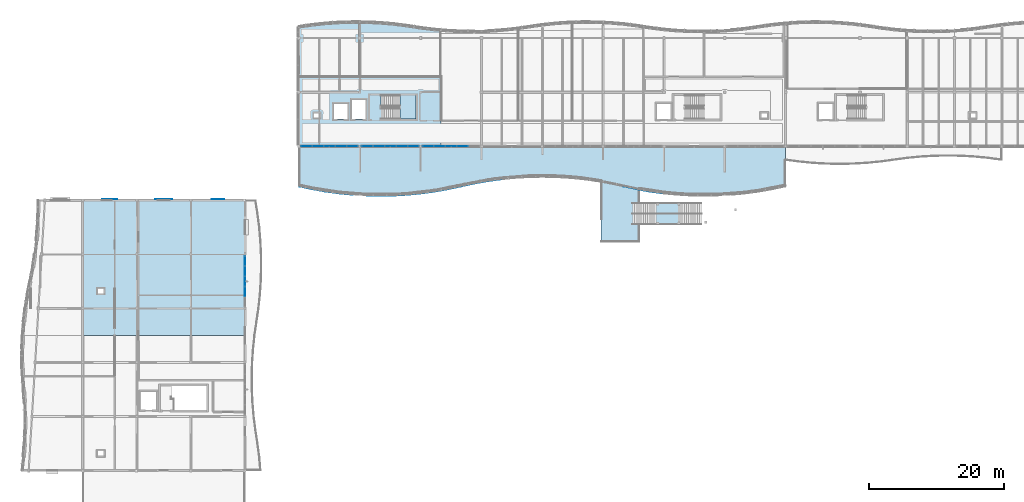
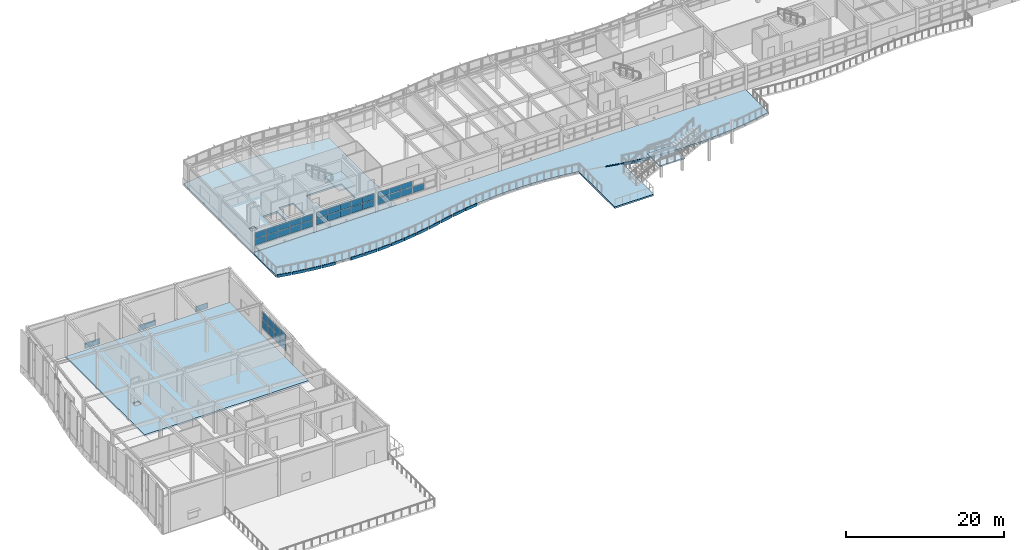
# One storey, part 22 of 52: 55 plates, 5 slabs, 6 elements without a shape of their own.
"""IFC4 building model written with IfcOpenShell, lengths in metres."""

from ifc_helpers import new_model, si_unit, direction, frame, origin, origin_2d, place, context, subcontext, project, spatial, polyline, rectangle, outline, extrude, material, layer, layer_set, type_object, element, aggregate, save


model = new_model("IFC4")

# Units and contexts
model_context = context("Model", 3, precision=1e-05, world=origin(), true_north=direction((0.0, 1.0)))
body_context = subcontext(model_context, "Body", "Model", "MODEL_VIEW")
ifc_project = project(units=[si_unit("LENGTHUNIT", "METRE"), si_unit("AREAUNIT", "SQUARE_METRE"), si_unit("VOLUMEUNIT", "CUBIC_METRE"), si_unit("PLANEANGLEUNIT", "RADIAN"), si_unit("MASSUNIT", "GRAM", prefix="KILO")], contexts=[model_context])

# Site, building, storey
site_placement = place(None, origin())
site = spatial("IfcSite", under=ifc_project, at=site_placement, CompositionType="ELEMENT")
building_placement = place(site_placement, origin())
building = spatial("IfcBuilding", under=site, at=building_placement, Name="Tonlespit Floodbar School", CompositionType="ELEMENT")
storey_placement = place(building_placement, frame((0.0, 0.0, 12.300048828125)))
storey = spatial("IfcBuildingStorey", under=building, at=storey_placement, Name="L03", CompositionType="ELEMENT", Elevation=12.300048828125)

# Curtain wall, plates
ifc_material_1 = material(Name="Anodised Aluminium", Category="aluminium")
ifc_layer_1 = layer(ifc_material_1, 0.159912109375)
ifc_layer_set_1 = layer_set([ifc_layer_1], Name="Anodised Aluminium")
curtain_wall_type_1 = type_object("IfcCurtainWallType", Name="CurtainWall_8500x2050", PredefinedType="NOTDEFINED", material=ifc_layer_set_1)
curtain_wall_1_placement = place(storey_placement, origin())
curtain_wall_1 = element("IfcCurtainWall", 1, at=curtain_wall_1_placement, inside=storey, type_object=curtain_wall_type_1, Name="L03 unitised curtain wall 0165", PredefinedType="NOTDEFINED")
ifc_material_2 = material(Name="Laminated Low-E Glass", Category="glass")
ifc_layer_2 = layer(ifc_material_2, 0.028076171875)
ifc_layer_set_2 = layer_set([ifc_layer_2], Name="Laminated Low-E Glass")
plate_type_1 = type_object("IfcPlateType", Name="CW_Panel_Glaz_28", PredefinedType="CURTAIN_PANEL", material=ifc_layer_set_2)
plate_1_placement = place(storey_placement, frame((51.891845703125, 104.0, 1.014892578125), z_axis=(0.0, 0.0, 1.0), x_axis=(-1.0, 0.0, 0.0)))
plate_1 = element("IfcPlate", 2, at=plate_1_placement, type_object=plate_type_1, Name="CW-07 panel 1.1", PredefinedType="CURTAIN_PANEL", context=body_context, shape_type="SweptSolid", body=[
    extrude(rectangle(XDim=1.6064453125, YDim=0.028076171875, at=origin_2d()), origin(), (0.0, 0.0, 1.0), 0.97265625),
])
plate_2_placement = place(storey_placement, frame((51.891845703125, 104.0, 2.052734375), z_axis=(0.0, 0.0, 1.0), x_axis=(-1.0, 0.0, 0.0)))
plate_2 = element("IfcPlate", 3, at=plate_2_placement, type_object=plate_type_1, Name="CW-07 panel 1.2", PredefinedType="CURTAIN_PANEL", context=body_context, shape_type="SweptSolid", body=[
    extrude(rectangle(XDim=1.6064453125, YDim=0.028076171875, at=origin_2d()), origin(), (0.0, 0.0, 1.0), 0.890380859375),
])
plate_3_placement = place(storey_placement, frame((50.2041015625, 104.0, 1.014892578125), z_axis=(0.0, 0.0, 1.0), x_axis=(-1.0, 0.0, 0.0)))
plate_3 = element("IfcPlate", 4, at=plate_3_placement, type_object=plate_type_1, Name="CW-07 panel 2.1", PredefinedType="CURTAIN_PANEL", context=body_context, shape_type="SweptSolid", body=[
    extrude(rectangle(XDim=1.638916015625, YDim=0.028076171875, at=origin_2d()), origin(), (0.0, 0.0, 1.0), 0.97265625),
])
plate_4_placement = place(storey_placement, frame((50.2041015625, 104.0, 2.052734375), z_axis=(0.0, 0.0, 1.0), x_axis=(-1.0, 0.0, 0.0)))
plate_4 = element("IfcPlate", 5, at=plate_4_placement, type_object=plate_type_1, Name="CW-07 panel 2.2", PredefinedType="CURTAIN_PANEL", context=body_context, shape_type="SweptSolid", body=[
    extrude(rectangle(XDim=1.638916015625, YDim=0.028076171875, at=origin_2d()), origin(), (0.0, 0.0, 1.0), 0.890380859375),
])
plate_5_placement = place(storey_placement, frame((48.5, 104.0, 1.014892578125), z_axis=(0.0, 0.0, 1.0), x_axis=(-1.0, 0.0, 0.0)))
plate_5 = element("IfcPlate", 6, at=plate_5_placement, type_object=plate_type_1, Name="CW-07 panel 3.1", PredefinedType="CURTAIN_PANEL", context=body_context, shape_type="SweptSolid", body=[
    extrude(rectangle(XDim=1.638916015625, YDim=0.028076171875, at=origin_2d()), origin(), (0.0, 0.0, 1.0), 0.97265625),
])
plate_6_placement = place(storey_placement, frame((48.5, 104.0, 2.052734375), z_axis=(0.0, 0.0, 1.0), x_axis=(-1.0, 0.0, 0.0)))
plate_6 = element("IfcPlate", 7, at=plate_6_placement, type_object=plate_type_1, Name="CW-07 panel 3.2", PredefinedType="CURTAIN_PANEL", context=body_context, shape_type="SweptSolid", body=[
    extrude(rectangle(XDim=1.638916015625, YDim=0.028076171875, at=origin_2d()), origin(), (0.0, 0.0, 1.0), 0.890380859375),
])
plate_7_placement = place(storey_placement, frame((46.7958984375, 104.0, 1.014892578125), z_axis=(0.0, 0.0, 1.0), x_axis=(-1.0, 0.0, 0.0)))
plate_7 = element("IfcPlate", 8, at=plate_7_placement, type_object=plate_type_1, Name="CW-07 panel 4.1", PredefinedType="CURTAIN_PANEL", context=body_context, shape_type="SweptSolid", body=[
    extrude(rectangle(XDim=1.638916015625, YDim=0.028076171875, at=origin_2d()), origin(), (0.0, 0.0, 1.0), 0.97265625),
])
plate_8_placement = place(storey_placement, frame((46.7958984375, 104.0, 2.052734375), z_axis=(0.0, 0.0, 1.0), x_axis=(-1.0, 0.0, 0.0)))
plate_8 = element("IfcPlate", 9, at=plate_8_placement, type_object=plate_type_1, Name="CW-07 panel 4.2", PredefinedType="CURTAIN_PANEL", context=body_context, shape_type="SweptSolid", body=[
    extrude(rectangle(XDim=1.638916015625, YDim=0.028076171875, at=origin_2d()), origin(), (0.0, 0.0, 1.0), 0.890380859375),
])
plate_9_placement = place(storey_placement, frame((45.108154296875, 104.0, 1.014892578125), z_axis=(0.0, 0.0, 1.0), x_axis=(-1.0, 0.0, 0.0)))
plate_9 = element("IfcPlate", 10, at=plate_9_placement, type_object=plate_type_1, Name="CW-07 panel 5.1", PredefinedType="CURTAIN_PANEL", context=body_context, shape_type="SweptSolid", body=[
    extrude(rectangle(XDim=1.6064453125, YDim=0.028076171875, at=origin_2d()), origin(), (0.0, 0.0, 1.0), 0.97265625),
])
plate_10_placement = place(storey_placement, frame((45.108154296875, 104.0, 2.052734375), z_axis=(0.0, 0.0, 1.0), x_axis=(-1.0, 0.0, 0.0)))
plate_10 = element("IfcPlate", 11, at=plate_10_placement, type_object=plate_type_1, Name="CW-07 panel 5.2", PredefinedType="CURTAIN_PANEL", context=body_context, shape_type="SweptSolid", body=[
    extrude(rectangle(XDim=1.6064453125, YDim=0.028076171875, at=origin_2d()), origin(), (0.0, 0.0, 1.0), 0.890380859375),
])
aggregate(curtain_wall_1, [plate_1, plate_2, plate_3, plate_4, plate_5, plate_6, plate_7, plate_8, plate_9, plate_10])

ifc_layer_3 = layer(ifc_material_1, 0.159912109375)
ifc_layer_set_3 = layer_set([ifc_layer_3], Name="Anodised Aluminium")
curtain_wall_type_2 = type_object("IfcCurtainWallType", Name="CurtainWall_7550x2700", PredefinedType="NOTDEFINED", material=ifc_layer_set_3)
curtain_wall_2_placement = place(storey_placement, origin())
curtain_wall_2 = element("IfcCurtainWall", 12, at=curtain_wall_2_placement, inside=storey, type_object=curtain_wall_type_2, Name="L03 unitised curtain wall 0309", PredefinedType="NOTDEFINED")
plate_11_placement = place(storey_placement, frame((36.0, 87.0078125, 1.014892578125), z_axis=(0.0, 0.0, 1.0), x_axis=(0.0, -1.0, 0.0)))
plate_11 = element("IfcPlate", 13, at=plate_11_placement, type_object=plate_type_1, Name="CW-48 panel 1.1", PredefinedType="CURTAIN_PANEL", context=body_context, shape_type="SweptSolid", body=[
    extrude(rectangle(XDim=1.41455078125, YDim=0.028076171875, at=origin_2d()), origin(), (0.0, 0.0, 1.0), 1.31591796875),
])
plate_12_placement = place(storey_placement, frame((36.0, 87.0078125, 2.39599609375), z_axis=(0.0, 0.0, 1.0), x_axis=(0.0, -1.0, 0.0)))
plate_12 = element("IfcPlate", 14, at=plate_12_placement, type_object=plate_type_1, Name="CW-48 panel 1.2", PredefinedType="CURTAIN_PANEL", context=body_context, shape_type="SweptSolid", body=[
    extrude(rectangle(XDim=1.41455078125, YDim=0.028076171875, at=origin_2d()), origin(), (0.0, 0.0, 1.0), 1.207275390625),
])
plate_13_placement = place(storey_placement, frame((36.0, 85.511962890625, 1.014892578125), z_axis=(0.0, 0.0, 1.0), x_axis=(0.0, -1.0, 0.0)))
plate_13 = element("IfcPlate", 15, at=plate_13_placement, type_object=plate_type_1, Name="CW-48 panel 2.1", PredefinedType="CURTAIN_PANEL", context=body_context, shape_type="SweptSolid", body=[
    extrude(rectangle(XDim=1.447021484375, YDim=0.028076171875, at=origin_2d()), origin(), (0.0, 0.0, 1.0), 1.31591796875),
])
plate_14_placement = place(storey_placement, frame((36.0, 85.511962890625, 2.39599609375), z_axis=(0.0, 0.0, 1.0), x_axis=(0.0, -1.0, 0.0)))
plate_14 = element("IfcPlate", 16, at=plate_14_placement, type_object=plate_type_1, Name="CW-48 panel 2.2", PredefinedType="CURTAIN_PANEL", context=body_context, shape_type="SweptSolid", body=[
    extrude(rectangle(XDim=1.447021484375, YDim=0.028076171875, at=origin_2d()), origin(), (0.0, 0.0, 1.0), 1.207275390625),
])
plate_15_placement = place(storey_placement, frame((36.0, 84.0, 1.014892578125), z_axis=(0.0, 0.0, 1.0), x_axis=(0.0, -1.0, 0.0)))
plate_15 = element("IfcPlate", 17, at=plate_15_placement, type_object=plate_type_1, Name="CW-48 panel 3.1", PredefinedType="CURTAIN_PANEL", context=body_context, shape_type="SweptSolid", body=[
    extrude(rectangle(XDim=1.447021484375, YDim=0.028076171875, at=origin_2d()), origin(), (0.0, 0.0, 1.0), 1.31591796875),
])
plate_16_placement = place(storey_placement, frame((36.0, 84.0, 2.39599609375), z_axis=(0.0, 0.0, 1.0), x_axis=(0.0, -1.0, 0.0)))
plate_16 = element("IfcPlate", 18, at=plate_16_placement, type_object=plate_type_1, Name="CW-48 panel 3.2", PredefinedType="CURTAIN_PANEL", context=body_context, shape_type="SweptSolid", body=[
    extrude(rectangle(XDim=1.447021484375, YDim=0.028076171875, at=origin_2d()), origin(), (0.0, 0.0, 1.0), 1.207275390625),
])
plate_17_placement = place(storey_placement, frame((36.0, 82.488037109375, 1.014892578125), z_axis=(0.0, 0.0, 1.0), x_axis=(0.0, -1.0, 0.0)))
plate_17 = element("IfcPlate", 19, at=plate_17_placement, type_object=plate_type_1, Name="CW-48 panel 4.1", PredefinedType="CURTAIN_PANEL", context=body_context, shape_type="SweptSolid", body=[
    extrude(rectangle(XDim=1.447021484375, YDim=0.028076171875, at=origin_2d()), origin(), (0.0, 0.0, 1.0), 1.31591796875),
])
plate_18_placement = place(storey_placement, frame((36.0, 82.488037109375, 2.39599609375), z_axis=(0.0, 0.0, 1.0), x_axis=(0.0, -1.0, 0.0)))
plate_18 = element("IfcPlate", 20, at=plate_18_placement, type_object=plate_type_1, Name="CW-48 panel 4.2", PredefinedType="CURTAIN_PANEL", context=body_context, shape_type="SweptSolid", body=[
    extrude(rectangle(XDim=1.447021484375, YDim=0.028076171875, at=origin_2d()), origin(), (0.0, 0.0, 1.0), 1.207275390625),
])
aggregate(curtain_wall_2, [plate_11, plate_12, plate_13, plate_14, plate_15, plate_16, plate_17, plate_18])

curtain_wall_3_placement = place(storey_placement, origin())
curtain_wall_3 = element("IfcCurtainWall", 21, at=curtain_wall_3_placement, inside=storey, type_object=curtain_wall_type_1, Name="L03 unitised curtain wall 0163", PredefinedType="NOTDEFINED")
ifc_layer_4 = layer(ifc_material_2, 0.035888671875)
ifc_layer_set_4 = layer_set([ifc_layer_4], Name="Laminated Low-E Glass")
plate_type_2 = type_object("IfcPlateType", Name="CW_Panel_Glaz_36", PredefinedType="CURTAIN_PANEL", material=ifc_layer_set_4)
plate_19_placement = place(storey_placement, frame((68.2041015625, 104.0, 1.014892578125), z_axis=(0.0, 0.0, 1.0), x_axis=(-1.0, 0.0, 0.0)))
plate_19 = element("IfcPlate", 22, at=plate_19_placement, type_object=plate_type_2, Name="CW-07 panel 2.1", PredefinedType="CURTAIN_PANEL", context=body_context, shape_type="SweptSolid", body=[
    extrude(rectangle(XDim=1.638916015625, YDim=0.035888671875, at=origin_2d()), origin(), (0.0, 0.0, 1.0), 0.97265625),
])
plate_20_placement = place(storey_placement, frame((66.5, 104.0, 1.014892578125), z_axis=(0.0, 0.0, 1.0), x_axis=(-1.0, 0.0, 0.0)))
plate_20 = element("IfcPlate", 23, at=plate_20_placement, type_object=plate_type_2, Name="CW-07 panel 3.1", PredefinedType="CURTAIN_PANEL", context=body_context, shape_type="SweptSolid", body=[
    extrude(rectangle(XDim=1.638916015625, YDim=0.035888671875, at=origin_2d()), origin(), (0.0, 0.0, 1.0), 0.97265625),
])
plate_21_placement = place(storey_placement, frame((66.5, 104.0, 2.052734375), z_axis=(0.0, 0.0, 1.0), x_axis=(-1.0, 0.0, 0.0)))
plate_21 = element("IfcPlate", 24, at=plate_21_placement, type_object=plate_type_2, Name="CW-07 panel 3.2", PredefinedType="CURTAIN_PANEL", context=body_context, shape_type="SweptSolid", body=[
    extrude(rectangle(XDim=1.638916015625, YDim=0.035888671875, at=origin_2d()), origin(), (0.0, 0.0, 1.0), 0.890380859375),
])
plate_22_placement = place(storey_placement, frame((64.7958984375, 104.0, 1.014892578125), z_axis=(0.0, 0.0, 1.0), x_axis=(-1.0, 0.0, 0.0)))
plate_22 = element("IfcPlate", 25, at=plate_22_placement, type_object=plate_type_2, Name="CW-07 panel 4.1", PredefinedType="CURTAIN_PANEL", context=body_context, shape_type="SweptSolid", body=[
    extrude(rectangle(XDim=1.638916015625, YDim=0.035888671875, at=origin_2d()), origin(), (0.0, 0.0, 1.0), 0.97265625),
])
plate_23_placement = place(storey_placement, frame((64.7958984375, 104.0, 2.052734375), z_axis=(0.0, 0.0, 1.0), x_axis=(-1.0, 0.0, 0.0)))
plate_23 = element("IfcPlate", 26, at=plate_23_placement, type_object=plate_type_2, Name="CW-07 panel 4.2", PredefinedType="CURTAIN_PANEL", context=body_context, shape_type="SweptSolid", body=[
    extrude(rectangle(XDim=1.638916015625, YDim=0.035888671875, at=origin_2d()), origin(), (0.0, 0.0, 1.0), 0.890380859375),
])
plate_24_placement = place(storey_placement, frame((63.108154296875, 104.0, 1.014892578125), z_axis=(0.0, 0.0, 1.0), x_axis=(-1.0, 0.0, 0.0)))
plate_24 = element("IfcPlate", 27, at=plate_24_placement, type_object=plate_type_2, Name="CW-07 panel 5.1", PredefinedType="CURTAIN_PANEL", context=body_context, shape_type="SweptSolid", body=[
    extrude(rectangle(XDim=1.6064453125, YDim=0.035888671875, at=origin_2d()), origin(), (0.0, 0.0, 1.0), 0.97265625),
])
plate_25_placement = place(storey_placement, frame((63.108154296875, 104.0, 2.052734375), z_axis=(0.0, 0.0, 1.0), x_axis=(-1.0, 0.0, 0.0)))
plate_25 = element("IfcPlate", 28, at=plate_25_placement, type_object=plate_type_2, Name="CW-07 panel 5.2", PredefinedType="CURTAIN_PANEL", context=body_context, shape_type="SweptSolid", body=[
    extrude(rectangle(XDim=1.6064453125, YDim=0.035888671875, at=origin_2d()), origin(), (0.0, 0.0, 1.0), 0.890380859375),
])
aggregate(curtain_wall_3, [plate_19, plate_20, plate_21, plate_22, plate_23, plate_24, plate_25])

curtain_wall_4_placement = place(storey_placement, origin())
curtain_wall_4 = element("IfcCurtainWall", 29, at=curtain_wall_4_placement, inside=storey, type_object=curtain_wall_type_1, Name="L03 unitised curtain wall 0164", PredefinedType="NOTDEFINED")
ifc_layer_5 = layer(ifc_material_2, 0.0419921875)
ifc_layer_set_5 = layer_set([ifc_layer_5], Name="Laminated Low-E Glass")
plate_type_3 = type_object("IfcPlateType", Name="CW_Panel_Glaz_42", PredefinedType="CURTAIN_PANEL", material=ifc_layer_set_5)
plate_26_placement = place(storey_placement, frame((60.891845703125, 104.0, 1.014892578125), z_axis=(0.0, 0.0, 1.0), x_axis=(-1.0, 0.0, 0.0)))
plate_26 = element("IfcPlate", 30, at=plate_26_placement, type_object=plate_type_3, Name="CW-07 panel 1.1", PredefinedType="CURTAIN_PANEL", context=body_context, shape_type="SweptSolid", body=[
    extrude(rectangle(XDim=1.6064453125, YDim=0.0419921875, at=origin_2d()), origin(), (0.0, 0.0, 1.0), 0.97265625),
])
plate_27_placement = place(storey_placement, frame((60.891845703125, 104.0, 2.052734375), z_axis=(0.0, 0.0, 1.0), x_axis=(-1.0, 0.0, 0.0)))
plate_27 = element("IfcPlate", 31, at=plate_27_placement, type_object=plate_type_3, Name="CW-07 panel 1.2", PredefinedType="CURTAIN_PANEL", context=body_context, shape_type="SweptSolid", body=[
    extrude(rectangle(XDim=1.6064453125, YDim=0.0419921875, at=origin_2d()), origin(), (0.0, 0.0, 1.0), 0.890380859375),
])
plate_28_placement = place(storey_placement, frame((59.2041015625, 104.0, 1.014892578125), z_axis=(0.0, 0.0, 1.0), x_axis=(-1.0, 0.0, 0.0)))
plate_28 = element("IfcPlate", 32, at=plate_28_placement, type_object=plate_type_3, Name="CW-07 panel 2.1", PredefinedType="CURTAIN_PANEL", context=body_context, shape_type="SweptSolid", body=[
    extrude(rectangle(XDim=1.638916015625, YDim=0.0419921875, at=origin_2d()), origin(), (0.0, 0.0, 1.0), 0.97265625),
])
plate_29_placement = place(storey_placement, frame((59.2041015625, 104.0, 2.052734375), z_axis=(0.0, 0.0, 1.0), x_axis=(-1.0, 0.0, 0.0)))
plate_29 = element("IfcPlate", 33, at=plate_29_placement, type_object=plate_type_3, Name="CW-07 panel 2.2", PredefinedType="CURTAIN_PANEL", context=body_context, shape_type="SweptSolid", body=[
    extrude(rectangle(XDim=1.638916015625, YDim=0.0419921875, at=origin_2d()), origin(), (0.0, 0.0, 1.0), 0.890380859375),
])
plate_30_placement = place(storey_placement, frame((57.5, 104.0, 1.014892578125), z_axis=(0.0, 0.0, 1.0), x_axis=(-1.0, 0.0, 0.0)))
plate_30 = element("IfcPlate", 34, at=plate_30_placement, type_object=plate_type_3, Name="CW-07 panel 3.1", PredefinedType="CURTAIN_PANEL", context=body_context, shape_type="SweptSolid", body=[
    extrude(rectangle(XDim=1.638916015625, YDim=0.0419921875, at=origin_2d()), origin(), (0.0, 0.0, 1.0), 0.97265625),
])
plate_31_placement = place(storey_placement, frame((57.5, 104.0, 2.052734375), z_axis=(0.0, 0.0, 1.0), x_axis=(-1.0, 0.0, 0.0)))
plate_31 = element("IfcPlate", 35, at=plate_31_placement, type_object=plate_type_3, Name="CW-07 panel 3.2", PredefinedType="CURTAIN_PANEL", context=body_context, shape_type="SweptSolid", body=[
    extrude(rectangle(XDim=1.638916015625, YDim=0.0419921875, at=origin_2d()), origin(), (0.0, 0.0, 1.0), 0.890380859375),
])
plate_32_placement = place(storey_placement, frame((55.7958984375, 104.0, 1.014892578125), z_axis=(0.0, 0.0, 1.0), x_axis=(-1.0, 0.0, 0.0)))
plate_32 = element("IfcPlate", 36, at=plate_32_placement, type_object=plate_type_3, Name="CW-07 panel 4.1", PredefinedType="CURTAIN_PANEL", context=body_context, shape_type="SweptSolid", body=[
    extrude(rectangle(XDim=1.638916015625, YDim=0.0419921875, at=origin_2d()), origin(), (0.0, 0.0, 1.0), 0.97265625),
])
plate_33_placement = place(storey_placement, frame((55.7958984375, 104.0, 2.052734375), z_axis=(0.0, 0.0, 1.0), x_axis=(-1.0, 0.0, 0.0)))
plate_33 = element("IfcPlate", 37, at=plate_33_placement, type_object=plate_type_3, Name="CW-07 panel 4.2", PredefinedType="CURTAIN_PANEL", context=body_context, shape_type="SweptSolid", body=[
    extrude(rectangle(XDim=1.638916015625, YDim=0.0419921875, at=origin_2d()), origin(), (0.0, 0.0, 1.0), 0.890380859375),
])
plate_34_placement = place(storey_placement, frame((54.108154296875, 104.0, 1.014892578125), z_axis=(0.0, 0.0, 1.0), x_axis=(-1.0, 0.0, 0.0)))
plate_34 = element("IfcPlate", 38, at=plate_34_placement, type_object=plate_type_3, Name="CW-07 panel 5.1", PredefinedType="CURTAIN_PANEL", context=body_context, shape_type="SweptSolid", body=[
    extrude(rectangle(XDim=1.6064453125, YDim=0.0419921875, at=origin_2d()), origin(), (0.0, 0.0, 1.0), 0.97265625),
])
plate_35_placement = place(storey_placement, frame((54.108154296875, 104.0, 2.052734375), z_axis=(0.0, 0.0, 1.0), x_axis=(-1.0, 0.0, 0.0)))
plate_35 = element("IfcPlate", 39, at=plate_35_placement, type_object=plate_type_3, Name="CW-07 panel 5.2", PredefinedType="CURTAIN_PANEL", context=body_context, shape_type="SweptSolid", body=[
    extrude(rectangle(XDim=1.6064453125, YDim=0.0419921875, at=origin_2d()), origin(), (0.0, 0.0, 1.0), 0.890380859375),
])
aggregate(curtain_wall_4, [plate_26, plate_27, plate_28, plate_29, plate_30, plate_31, plate_32, plate_33, plate_34, plate_35])

# Plates
ifc_layer_6 = layer(ifc_material_1, 0.044921875)
ifc_layer_set_6 = layer_set([ifc_layer_6], Name="Anodised Aluminium")
plate_type_4 = type_object("IfcPlateType", Name="FacadeCassette_01", PredefinedType="SHEET", material=ifc_layer_set_6)
plate_36_placement = place(storey_placement, frame((32.0, 96.140380859375, 0.094970703125), z_axis=(0.0, 0.0, 1.0), x_axis=(1.0, 0.0, 0.0)))
element("IfcPlate", 40, at=plate_36_placement, inside=storey, type_object=plate_type_4, Name="L03 folded rainscreen cassette 017", PredefinedType="SHEET", context=body_context, shape_type="SweptSolid", body=[
    extrude(rectangle(XDim=1.800048828125, YDim=0.044921875, at=origin_2d()), origin(), (0.0, 0.0, 1.0), 0.85009765625),
])
ifc_layer_7 = layer(ifc_material_1, 0.054931640625)
ifc_layer_set_7 = layer_set([ifc_layer_7], Name="Anodised Aluminium")
plate_type_5 = type_object("IfcPlateType", Name="FacadeCassette_07", PredefinedType="SHEET", material=ifc_layer_set_7)
plate_37_placement = place(storey_placement, frame((16.0, 96.1455078125, 0.094970703125), z_axis=(0.0, 0.0, 1.0), x_axis=(1.0, 0.0, 0.0)))
element("IfcPlate", 41, at=plate_37_placement, inside=storey, type_object=plate_type_5, Name="L03 folded rainscreen cassette 015", PredefinedType="SHEET", context=body_context, shape_type="SweptSolid", body=[
    extrude(rectangle(XDim=2.25, YDim=0.054931640625, at=origin_2d()), origin(), (0.0, 0.0, 1.0), 0.85009765625),
])
ifc_material_3 = material(Name="Terracotta Anodised Aluminium", Category="masonry")
ifc_layer_8 = layer(ifc_material_3, 0.054931640625)
ifc_layer_set_8 = layer_set([ifc_layer_8], Name="Terracotta Anodised Aluminium")
plate_type_6 = type_object("IfcPlateType", Name="FacadeCassette_08", PredefinedType="SHEET", material=ifc_layer_set_8)
plate_38_placement = place(storey_placement, frame((24.0, 96.1455078125, 0.094970703125), z_axis=(0.0, 0.0, 1.0), x_axis=(1.0, 0.0, 0.0)))
element("IfcPlate", 42, at=plate_38_placement, inside=storey, type_object=plate_type_6, Name="L03 folded rainscreen cassette 016", PredefinedType="SHEET", context=body_context, shape_type="SweptSolid", body=[
    extrude(rectangle(XDim=2.550048828125, YDim=0.054931640625, at=origin_2d()), origin(), (0.0, 0.0, 1.0), 0.85009765625),
])
ifc_material_4 = material(Name="White Architectural Aluminium", Category="aluminium")
ifc_layer_9 = layer(ifc_material_4, 0.06494140625)
ifc_layer_set_9 = layer_set([ifc_layer_9], Name="White Architectural Aluminium")
plate_type_7 = type_object("IfcPlateType", Name="FacadeRibbon_White_65", PredefinedType="SHEET", material=ifc_layer_set_9)
plate_39_placement = place(storey_placement, frame((45.0, 97.861572265625, -0.300048828125), z_axis=(0.0, 0.0, 1.0), x_axis=(0.977356843161, -0.21159773422, 0.0)))
element("IfcPlate", 43, at=plate_39_placement, inside=storey, type_object=plate_type_7, Name="L03 flowing white street spandrel ribbon 0261", PredefinedType="SHEET", context=body_context, shape_type="SweptSolid", body=[
    extrude(rectangle(XDim=1.88623046875, YDim=0.06494140625, at=origin_2d()), origin(), (0.0, 0.0, 1.0), 0.419921875),
])
plate_40_placement = place(storey_placement, frame((47.0, 97.46923828125, -0.300048828125), z_axis=(0.0, 0.0, 1.0), x_axis=(0.984904884962, -0.17309641122, 0.0)))
element("IfcPlate", 44, at=plate_40_placement, inside=storey, type_object=plate_type_7, Name="L03 flowing white street spandrel ribbon 0262", PredefinedType="SHEET", context=body_context, shape_type="SweptSolid", body=[
    extrude(rectangle(XDim=1.87060546875, YDim=0.06494140625, at=origin_2d()), origin(), (0.0, 0.0, 1.0), 0.419921875),
])
plate_41_placement = place(storey_placement, frame((49.0, 97.15771484375, -0.300048828125), z_axis=(0.0, 0.0, 1.0), x_axis=(0.990898113281, -0.13461400037, 0.0)))
element("IfcPlate", 45, at=plate_41_placement, inside=storey, type_object=plate_type_7, Name="L03 flowing white street spandrel ribbon 0263", PredefinedType="SHEET", context=body_context, shape_type="SweptSolid", body=[
    extrude(rectangle(XDim=1.8583984375, YDim=0.06494140625, at=origin_2d()), origin(), (0.0, 0.0, 1.0), 0.419921875),
])
plate_42_placement = place(storey_placement, frame((51.0, 96.92529296875, -0.300048828125), z_axis=(0.0, 0.0, 1.0), x_axis=(0.995361841764, -0.096201891669, 0.0)))
element("IfcPlate", 46, at=plate_42_placement, inside=storey, type_object=plate_type_7, Name="L03 flowing white street spandrel ribbon 0264", PredefinedType="SHEET", context=body_context, shape_type="SweptSolid", body=[
    extrude(rectangle(XDim=1.849365234375, YDim=0.06494140625, at=origin_2d()), origin(), (0.0, 0.0, 1.0), 0.419921875),
])
for number, where, z_axis, x_axis, name in (
    (47, (55.0, 96.693603515625, -0.300048828125), (0.0, 0.0, 1.0), (0.999814772764, -0.01924630259, 0.0), "L03 flowing white street spandrel ribbon 0266"),
    (48, (57.0, 96.693603515625, -0.300048828125), (0.0, 0.0, 1.0), (0.999814772764, 0.01924630259, 0.0), "L03 flowing white street spandrel ribbon 0267"),
):
    element("IfcPlate", number, at=place(storey_placement, frame(where, z_axis=z_axis, x_axis=x_axis)), inside=storey, type_object=plate_type_7, Name=name, PredefinedType="SHEET", context=body_context, shape_type="SweptSolid", body=[
        extrude(rectangle(XDim=1.84033203125, YDim=0.06494140625, at=origin_2d()), origin(), (0.0, 0.0, 1.0), 0.419921875),
    ])
plate_43_placement = place(storey_placement, frame((59.0, 96.770751953125, -0.300048828125), z_axis=(0.0, 0.0, 1.0), x_axis=(0.998333769428, 0.057703421212, 0.0)))
element("IfcPlate", 49, at=plate_43_placement, inside=storey, type_object=plate_type_7, Name="L03 flowing white street spandrel ribbon 0268", PredefinedType="SHEET", context=body_context, shape_type="SweptSolid", body=[
    extrude(rectangle(XDim=1.84326171875, YDim=0.06494140625, at=origin_2d()), origin(), (0.0, 0.0, 1.0), 0.419921875),
])
plate_44_placement = place(storey_placement, frame((61.0, 96.92529296875, -0.300048828125), z_axis=(0.0, 0.0, 1.0), x_axis=(0.995361841764, 0.096201891669, 0.0)))
element("IfcPlate", 50, at=plate_44_placement, inside=storey, type_object=plate_type_7, Name="L03 flowing white street spandrel ribbon 0269", PredefinedType="SHEET", context=body_context, shape_type="SweptSolid", body=[
    extrude(rectangle(XDim=1.849365234375, YDim=0.06494140625, at=origin_2d()), origin(), (0.0, 0.0, 1.0), 0.419921875),
])
plate_45_placement = place(storey_placement, frame((63.0, 97.15771484375, -0.300048828125), z_axis=(0.0, 0.0, 1.0), x_axis=(0.990898113281, 0.13461400037, 0.0)))
element("IfcPlate", 51, at=plate_45_placement, inside=storey, type_object=plate_type_7, Name="L03 flowing white street spandrel ribbon 0270", PredefinedType="SHEET", context=body_context, shape_type="SweptSolid", body=[
    extrude(rectangle(XDim=1.8583984375, YDim=0.06494140625, at=origin_2d()), origin(), (0.0, 0.0, 1.0), 0.419921875),
])
plate_46_placement = place(storey_placement, frame((65.0, 97.46923828125, -0.300048828125), z_axis=(0.0, 0.0, 1.0), x_axis=(0.984904884962, 0.17309641122, 0.0)))
element("IfcPlate", 52, at=plate_46_placement, inside=storey, type_object=plate_type_7, Name="L03 flowing white street spandrel ribbon 0271", PredefinedType="SHEET", context=body_context, shape_type="SweptSolid", body=[
    extrude(rectangle(XDim=1.87060546875, YDim=0.06494140625, at=origin_2d()), origin(), (0.0, 0.0, 1.0), 0.419921875),
])
for number, where, z_axis, x_axis, name in (
    (53, (67.0, 97.861572265625, -0.300048828125), (0.0, 0.0, 1.0), (0.977356843161, 0.21159773422, 0.0), "L03 flowing white street spandrel ribbon 0272"),
    (54, (69.0, 98.29443359375, -0.300048828125), (0.0, 0.0, 1.0), (0.977356843161, 0.21159773422, 0.0), "L03 flowing white street spandrel ribbon 0273"),
):
    element("IfcPlate", number, at=place(storey_placement, frame(where, z_axis=z_axis, x_axis=x_axis)), inside=storey, type_object=plate_type_7, Name=name, PredefinedType="SHEET", context=body_context, shape_type="SweptSolid", body=[
        extrude(rectangle(XDim=1.88623046875, YDim=0.06494140625, at=origin_2d()), origin(), (0.0, 0.0, 1.0), 0.419921875),
    ])
plate_47_placement = place(storey_placement, frame((71.0, 98.686767578125, -0.300048828125), z_axis=(0.0, 0.0, 1.0), x_axis=(0.984904884962, 0.17309641122, 0.0)))
element("IfcPlate", 55, at=plate_47_placement, inside=storey, type_object=plate_type_7, Name="L03 flowing white street spandrel ribbon 0274", PredefinedType="SHEET", context=body_context, shape_type="SweptSolid", body=[
    extrude(rectangle(XDim=1.87060546875, YDim=0.06494140625, at=origin_2d()), origin(), (0.0, 0.0, 1.0), 0.419921875),
])
plate_48_placement = place(storey_placement, frame((73.0, 98.998291015625, -0.300048828125), z_axis=(0.0, 0.0, 1.0), x_axis=(0.990898113281, 0.13461400037, 0.0)))
element("IfcPlate", 56, at=plate_48_placement, inside=storey, type_object=plate_type_7, Name="L03 flowing white street spandrel ribbon 0275", PredefinedType="SHEET", context=body_context, shape_type="SweptSolid", body=[
    extrude(rectangle(XDim=1.8583984375, YDim=0.06494140625, at=origin_2d()), origin(), (0.0, 0.0, 1.0), 0.419921875),
])
plate_49_placement = place(storey_placement, frame((93.0, 97.861572265625, -0.300048828125), z_axis=(0.0, 0.0, 1.0), x_axis=(0.977356843161, -0.21159773422, 0.0)))
element("IfcPlate", 57, at=plate_49_placement, inside=storey, type_object=plate_type_7, Name="L03 flowing white street spandrel ribbon 0285", PredefinedType="SHEET", context=body_context, shape_type="SweptSolid", body=[
    extrude(rectangle(XDim=1.88623046875, YDim=0.06494140625, at=origin_2d()), origin(), (0.0, 0.0, 1.0), 0.419921875),
])
plate_50_placement = place(storey_placement, frame((95.0, 97.46923828125, -0.300048828125), z_axis=(0.0, 0.0, 1.0), x_axis=(0.984904884962, -0.17309641122, 0.0)))
element("IfcPlate", 58, at=plate_50_placement, inside=storey, type_object=plate_type_7, Name="L03 flowing white street spandrel ribbon 0286", PredefinedType="SHEET", context=body_context, shape_type="SweptSolid", body=[
    extrude(rectangle(XDim=1.87060546875, YDim=0.06494140625, at=origin_2d()), origin(), (0.0, 0.0, 1.0), 0.419921875),
])
plate_51_placement = place(storey_placement, frame((97.0, 97.15771484375, -0.300048828125), z_axis=(0.0, 0.0, 1.0), x_axis=(0.990898113281, -0.13461400037, 0.0)))
element("IfcPlate", 59, at=plate_51_placement, inside=storey, type_object=plate_type_7, Name="L03 flowing white street spandrel ribbon 0287", PredefinedType="SHEET", context=body_context, shape_type="SweptSolid", body=[
    extrude(rectangle(XDim=1.8583984375, YDim=0.06494140625, at=origin_2d()), origin(), (0.0, 0.0, 1.0), 0.419921875),
])

# Stair, slab
ifc_material_5 = material(Name="Concrete C40/50", Category="concrete")
stair_type_1 = type_object("IfcStairType", Name="Stair_Core_Upper", PredefinedType="HALF_TURN_STAIR", material=ifc_material_5)
stair_1_placement = place(storey_placement, origin())
stair_1 = element("IfcStair", 60, at=stair_1_placement, inside=storey, type_object=stair_type_1, Name="L03 Core C1 escape stair", PredefinedType="HALF_TURN_STAIR")
ifc_layer_10 = layer(ifc_material_5, 0.199951171875)
ifc_layer_set_10 = layer_set([ifc_layer_10], Name="Concrete C40/50")
slab_type_1 = type_object("IfcSlabType", Name="Landing_Core_RC200", PredefinedType="LANDING", material=ifc_layer_set_10)
slab_1_placement = place(storey_placement, frame((0.0, 0.0, 1.75)))
slab_1 = element("IfcSlab", 61, at=slab_1_placement, type_object=slab_type_1, Name="ST-C1 landing 1", PredefinedType="LANDING", context=body_context, shape_type="SweptSolid", body=[
    extrude(outline(polyline([(58.919921875, 108.0), (61.300048828125, 108.0), (61.300048828125, 111.5400390625), (58.919921875, 111.5400390625), (58.919921875, 108.0)])), origin(), (0.0, 0.0, 1.0), 0.199951171875),
])
aggregate(stair_1, [slab_1])

ifc_material_6 = material(Name="White Architectural Precast concrete C40/50", Category="concrete")
stair_type_2 = type_object("IfcStairType", Name="Stair_Court_3200_Upp", PredefinedType="STRAIGHT_RUN_STAIR", material=ifc_material_6)
stair_2_placement = place(storey_placement, origin())
stair_2 = element("IfcStair", 62, at=stair_2_placement, inside=storey, type_object=stair_type_2, Name="L03 stair ST-CT4", PredefinedType="STRAIGHT_RUN_STAIR")
ifc_layer_11 = layer(ifc_material_6, 0.199951171875)
ifc_layer_set_11 = layer_set([ifc_layer_11], Name="White Architectural Precast concrete C40/50")
slab_type_2 = type_object("IfcSlabType", Name="Landing_Court_RC215", PredefinedType="LANDING", material=ifc_layer_set_11)
slab_2_placement = place(storey_placement, frame((0.0, 0.0, 1.75)))
slab_2 = element("IfcSlab", 63, at=slab_2_placement, type_object=slab_type_2, Name="ST-CT4 landing 1", PredefinedType="LANDING", context=body_context, shape_type="SweptSolid", body=[
    extrude(outline(polyline([(96.780029296875, 92.39990234375), (100.419921875, 92.39990234375), (100.419921875, 95.60009765625), (96.780029296875, 95.60009765625), (96.780029296875, 92.39990234375)])), origin(), (0.0, 0.0, 1.0), 0.199951171875),
])
aggregate(stair_2, [slab_2])

# Slabs
ifc_material_7 = material(Name="CLT C24", Category="wood")
ifc_layer_12 = layer(ifc_material_7, 0.248046875)
ifc_layer_set_12 = layer_set([ifc_layer_12], Name="CLT C24")
slab_type_3 = type_object("IfcSlabType", Name="Slab_Floor_CLT_200", PredefinedType="FLOOR", material=ifc_layer_set_12)
slab_3_placement = place(storey_placement, frame((0.0, 0.0, -0.248046875)))
element("IfcSlab", 64, at=slab_3_placement, inside=storey, type_object=slab_type_3, Name="L03 V1 L03 west curved street slab", PredefinedType="FLOOR", context=body_context, shape_type="SweptSolid", body=[
    extrude(outline(polyline([(44.0, 104.0), (65.0, 104.0), (65.0, 121.045654296875), (62.89990234375, 121.27099609375), (60.800048828125, 121.582763671875), (58.699951171875, 121.87841796875), (56.60009765625, 122.08740234375), (54.5, 122.2109375), (52.39990234375, 122.249267578125), (50.300048828125, 122.202880859375), (48.199951171875, 122.0712890625), (46.10009765625, 121.85400390625), (44.0, 121.550048828125), (44.0, 104.0)]), holes=[polyline([(56.5, 108.0), (61.300048828125, 108.0), (61.300048828125, 111.5400390625), (56.14501953125, 111.5400390625), (56.14501953125, 109.6201171875), (56.5, 109.6201171875), (56.5, 108.0)]), polyline([(51.800048828125, 108.0), (53.89990234375, 108.0), (53.89990234375, 110.89990234375), (51.800048828125, 110.89990234375), (51.800048828125, 108.0)]), polyline([(49.10009765625, 108.0), (51.199951171875, 108.0), (51.199951171875, 110.300048828125), (49.10009765625, 110.300048828125), (49.10009765625, 108.0)]), polyline([(46.199951171875, 108.199951171875), (47.10009765625, 108.199951171875), (47.10009765625, 108.89990234375), (46.199951171875, 108.89990234375), (46.199951171875, 108.199951171875)])]), origin(), (0.0, 0.0, 1.0), 0.248046875),
])
slab_4_placement = place(storey_placement, frame((0.0, 0.0, -0.248046875)))
element("IfcSlab", 65, at=slab_4_placement, inside=storey, type_object=slab_type_3, Name="L03 V2 L03 north STEAM lab slab", PredefinedType="FLOOR", context=body_context, shape_type="SweptSolid", body=[
    extrude(outline(polyline([(12.0, 76.0), (36.0, 76.0), (36.0, 96.0), (12.0, 96.0), (12.0, 76.0)]), holes=[polyline([(14.199951171875, 82.199951171875), (15.10009765625, 82.199951171875), (15.10009765625, 82.89990234375), (14.199951171875, 82.89990234375), (14.199951171875, 82.199951171875)])]), origin(), (0.0, 0.0, 1.0), 0.248046875),
])
ifc_layer_13 = layer(ifc_material_7, 0.251953125)
ifc_layer_set_13 = layer_set([ifc_layer_13], Name="CLT C24")
slab_type_4 = type_object("IfcSlabType", Name="Slab_Terrace_CLT_210", PredefinedType="FLOOR", material=ifc_layer_set_13)
slab_5_placement = place(storey_placement, frame((0.0, 0.0, -0.251953125)))
element("IfcSlab", 66, at=slab_5_placement, inside=storey, type_object=slab_type_4, Name="L03 V1 curved courtyard gallery step 2", PredefinedType="FLOOR", context=body_context, shape_type="SweptSolid", body=[
    extrude(outline(polyline([(94.3798828125, 89.800048828125), (88.679931640625, 89.800048828125), (88.679931640625, 98.864990234375), (86.0, 99.256103515625), (84.0, 99.449462890625), (82.0, 99.565185546875), (78.0, 99.565185546875), (74.0, 99.256103515625), (72.0, 98.984619140625), (64.0, 97.41552734375), (60.0, 96.950439453125), (58.0, 96.8349609375), (54.0, 96.8349609375), (50.0, 97.143798828125), (46.0, 97.76708984375), (44.0, 98.199951171875), (44.0, 104.0), (116.0, 104.0), (116.0, 98.199951171875), (112.0, 97.41552734375), (110.0, 97.143798828125), (106.0, 96.8349609375), (102.0, 96.8349609375), (100.0, 96.950439453125), (98.0, 97.143798828125), (94.3798828125, 97.7001953125), (94.3798828125, 89.800048828125)])), origin(), (0.0, 0.0, 1.0), 0.251953125),
])

save(model, "model.ifc")
